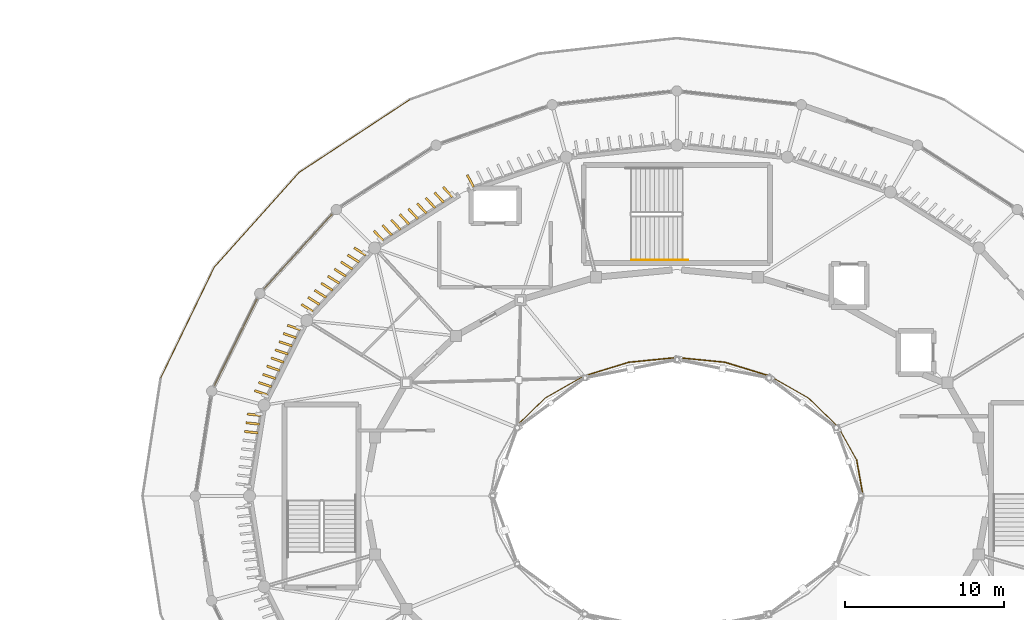
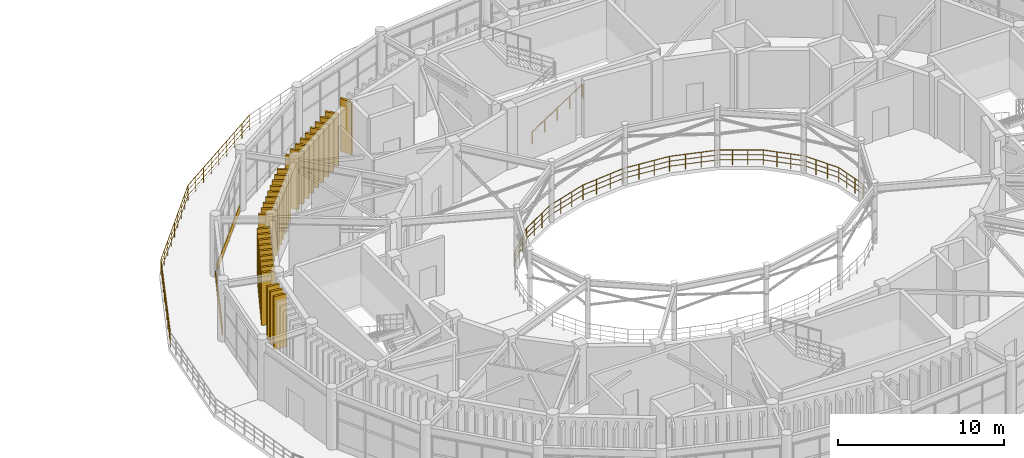
# One storey, part 41 of 45: 31 shading devices, 14 railings, 2 coverings.
"""IFC4 building model written with IfcOpenShell, lengths in metres."""

from ifc_helpers import new_model, si_unit, direction, frame, origin, origin_2d, place, context, subcontext, project, spatial, rectangle, circle, extrude, material, layer, layer_set, type_object, element, save


model = new_model("IFC4")

# Units and contexts
model_context = context("Model", 3, precision=1e-05, world=origin(), true_north=direction((0.0, 1.0)))
body_context = subcontext(model_context, "Body", "Model", "MODEL_VIEW")
ifc_project = project(units=[si_unit("LENGTHUNIT", "METRE"), si_unit("AREAUNIT", "SQUARE_METRE"), si_unit("VOLUMEUNIT", "CUBIC_METRE"), si_unit("PLANEANGLEUNIT", "RADIAN"), si_unit("MASSUNIT", "GRAM", prefix="KILO")], contexts=[model_context])

# Site, building, storey
site_placement = place(None, origin())
site = spatial("IfcSite", under=ifc_project, at=site_placement, CompositionType="ELEMENT")
building_placement = place(site_placement, origin())
building = spatial("IfcBuilding", under=site, at=building_placement, Name="Cinderbank Siding Concert Hall", CompositionType="ELEMENT")
storey_placement = place(building_placement, frame((0.0, 0.0, 19.199951171875)))
storey = spatial("IfcBuildingStorey", under=building, at=storey_placement, Name="L05", CompositionType="ELEMENT", Elevation=19.199951171875)

# Railings
ifc_material_1 = material(Name="Spotted gum glulam timber GL18 (42 MPa)", Category="wood")
railing_type_1 = type_object("IfcRailingType", Name="BAL-01 Auditorium Tier Balustrade 1120mm", PredefinedType="BALUSTRADE", material=ifc_material_1)
railing_1_placement = place(storey_placement, frame((133.679931640625, 44.0, 0.0)))
element("IfcRailing", 1, at=railing_1_placement, inside=storey, type_object=railing_type_1, Name="L05 Auditorium Circle Balustrade 01", PredefinedType="BALUSTRADE", context=body_context, shape_type="SweptSolid", body=[
    extrude(circle(Radius=0.02392578125, at=origin_2d()), frame((0.0, 0.0, 1.09619140625), z_axis=(-0.174420153546, 0.984671320816, 0.0), x_axis=(-0.984671320816, -0.174420153546, 0.0)), (0.0, 0.0, 1.0), 2.281494140625),
    extrude(circle(Radius=0.01611328125, at=origin_2d()), frame((0.0, 0.0, 0.36962890625), z_axis=(-0.174420153546, 0.984671320816, 0.0), x_axis=(-0.984671320816, -0.174420153546, 0.0)), (0.0, 0.0, 1.0), 2.281494140625),
    extrude(circle(Radius=0.01611328125, at=origin_2d()), frame((0.0, 0.0, 0.7392578125), z_axis=(-0.174420153546, 0.984671320816, 0.0), x_axis=(-0.984671320816, -0.174420153546, 0.0)), (0.0, 0.0, 1.0), 2.281494140625),
    extrude(circle(Radius=0.02099609375, at=origin_2d()), origin(), (0.0, 0.0, 1.0), 1.072021484375),
    extrude(circle(Radius=0.02099609375, at=origin_2d()), frame((-0.132568359375, 0.748779296875, 0.0)), (0.0, 0.0, 1.0), 1.072021484375),
    extrude(circle(Radius=0.02099609375, at=origin_2d()), frame((-0.265380859375, 1.497802734375, 0.0)), (0.0, 0.0, 1.0), 1.072021484375),
    extrude(circle(Radius=0.02099609375, at=origin_2d()), frame((-0.39794921875, 2.24658203125, 0.0)), (0.0, 0.0, 1.0), 1.072021484375),
])
railing_2_placement = place(storey_placement, frame((133.281982421875, 46.24658203125, 0.0)))
element("IfcRailing", 2, at=railing_2_placement, inside=storey, type_object=railing_type_1, Name="L05 Auditorium Circle Balustrade 02", PredefinedType="BALUSTRADE", context=body_context, shape_type="SweptSolid", body=[
    extrude(circle(Radius=0.02392578125, at=origin_2d()), frame((0.0, 0.0, 1.09619140625), z_axis=(-0.486818758281, 0.873503003192, 0.0), x_axis=(-0.873503003192, -0.486818758281, 0.0)), (0.0, 0.0, 1.0), 2.396728515625),
    extrude(circle(Radius=0.01611328125, at=origin_2d()), frame((0.0, 0.0, 0.36962890625), z_axis=(-0.486818758281, 0.873503003192, 0.0), x_axis=(-0.873503003192, -0.486818758281, 0.0)), (0.0, 0.0, 1.0), 2.396728515625),
    extrude(circle(Radius=0.01611328125, at=origin_2d()), frame((0.0, 0.0, 0.7392578125), z_axis=(-0.486818758281, 0.873503003192, 0.0), x_axis=(-0.873503003192, -0.486818758281, 0.0)), (0.0, 0.0, 1.0), 2.396728515625),
    extrude(circle(Radius=0.02099609375, at=origin_2d()), origin(), (0.0, 0.0, 1.0), 1.072021484375),
    extrude(circle(Radius=0.02099609375, at=origin_2d()), frame((-0.388916015625, 0.69775390625, 0.0)), (0.0, 0.0, 1.0), 1.072021484375),
    extrude(circle(Radius=0.02099609375, at=origin_2d()), frame((-0.77783203125, 1.395751953125, 0.0)), (0.0, 0.0, 1.0), 1.072021484375),
    extrude(circle(Radius=0.02099609375, at=origin_2d()), frame((-1.166748046875, 2.093505859375, 0.0)), (0.0, 0.0, 1.0), 1.072021484375),
])
railing_3_placement = place(storey_placement, frame((132.115234375, 48.340087890625, 0.0)))
element("IfcRailing", 3, at=railing_3_placement, inside=storey, type_object=railing_type_1, Name="L05 Auditorium Circle Balustrade 03", PredefinedType="BALUSTRADE", context=body_context, shape_type="SweptSolid", body=[
    extrude(circle(Radius=0.02392578125, at=origin_2d()), frame((0.0, 0.0, 1.09619140625), z_axis=(-0.71835383074, 0.695677923943, 0.0), x_axis=(-0.695677923943, -0.71835383074, 0.0)), (0.0, 0.0, 1.0), 2.583984375),
    extrude(circle(Radius=0.01611328125, at=origin_2d()), frame((0.0, 0.0, 0.36962890625), z_axis=(-0.71835383074, 0.695677923943, 0.0), x_axis=(-0.695677923943, -0.71835383074, 0.0)), (0.0, 0.0, 1.0), 2.583984375),
    extrude(circle(Radius=0.01611328125, at=origin_2d()), frame((0.0, 0.0, 0.7392578125), z_axis=(-0.71835383074, 0.695677923943, 0.0), x_axis=(-0.695677923943, -0.71835383074, 0.0)), (0.0, 0.0, 1.0), 2.583984375),
    extrude(circle(Radius=0.02099609375, at=origin_2d()), origin(), (0.0, 0.0, 1.0), 1.072021484375),
    extrude(circle(Radius=0.02099609375, at=origin_2d()), frame((-0.61865234375, 0.59912109375, 0.0)), (0.0, 0.0, 1.0), 1.072021484375),
    extrude(circle(Radius=0.02099609375, at=origin_2d()), frame((-1.237548828125, 1.198486328125, 0.0)), (0.0, 0.0, 1.0), 1.072021484375),
    extrude(circle(Radius=0.02099609375, at=origin_2d()), frame((-1.856201171875, 1.797607421875, 0.0)), (0.0, 0.0, 1.0), 1.072021484375),
])
railing_4_placement = place(storey_placement, frame((130.259033203125, 50.1376953125, 0.0)))
element("IfcRailing", 4, at=railing_4_placement, inside=storey, type_object=railing_type_1, Name="L05 Auditorium Circle Balustrade 04", PredefinedType="BALUSTRADE", context=body_context, shape_type="SweptSolid", body=[
    extrude(circle(Radius=0.02392578125, at=origin_2d()), frame((0.0, 0.0, 1.09619140625), z_axis=(-0.868685219128, 0.495364502228, 0.0), x_axis=(-0.495364502228, -0.868685219128, 0.0)), (0.0, 0.0, 1.0), 2.78466796875),
    extrude(circle(Radius=0.01611328125, at=origin_2d()), frame((0.0, 0.0, 0.36962890625), z_axis=(-0.868685219128, 0.495364502228, 0.0), x_axis=(-0.495364502228, -0.868685219128, 0.0)), (0.0, 0.0, 1.0), 2.78466796875),
    extrude(circle(Radius=0.01611328125, at=origin_2d()), frame((0.0, 0.0, 0.7392578125), z_axis=(-0.868685219128, 0.495364502228, 0.0), x_axis=(-0.495364502228, -0.868685219128, 0.0)), (0.0, 0.0, 1.0), 2.78466796875),
    extrude(circle(Radius=0.02099609375, at=origin_2d()), origin(), (0.0, 0.0, 1.0), 1.072021484375),
    extrude(circle(Radius=0.02099609375, at=origin_2d()), frame((-0.806396484375, 0.459716796875, 0.0)), (0.0, 0.0, 1.0), 1.072021484375),
    extrude(circle(Radius=0.02099609375, at=origin_2d()), frame((-1.612548828125, 0.919677734375, 0.0)), (0.0, 0.0, 1.0), 1.072021484375),
    extrude(circle(Radius=0.02099609375, at=origin_2d()), frame((-2.4189453125, 1.37939453125, 0.0)), (0.0, 0.0, 1.0), 1.072021484375),
])
railing_5_placement = place(storey_placement, frame((127.840087890625, 51.51708984375, 0.0)))
element("IfcRailing", 5, at=railing_5_placement, inside=storey, type_object=railing_type_1, Name="L05 Auditorium Circle Balustrade 05", PredefinedType="BALUSTRADE", context=body_context, shape_type="SweptSolid", body=[
    extrude(circle(Radius=0.02392578125, at=origin_2d()), frame((0.0, 0.0, 1.09619140625), z_axis=(-0.955743184461, 0.294202252466, 0.0), x_axis=(-0.294202252466, -0.955743184461, 0.0)), (0.0, 0.0, 1.0), 2.947509765625),
    extrude(circle(Radius=0.01611328125, at=origin_2d()), frame((0.0, 0.0, 0.36962890625), z_axis=(-0.955743184461, 0.294202252466, 0.0), x_axis=(-0.294202252466, -0.955743184461, 0.0)), (0.0, 0.0, 1.0), 2.947509765625),
    extrude(circle(Radius=0.01611328125, at=origin_2d()), frame((0.0, 0.0, 0.7392578125), z_axis=(-0.955743184461, 0.294202252466, 0.0), x_axis=(-0.294202252466, -0.955743184461, 0.0)), (0.0, 0.0, 1.0), 2.947509765625),
    extrude(circle(Radius=0.02099609375, at=origin_2d()), origin(), (0.0, 0.0, 1.0), 1.072021484375),
    extrude(circle(Radius=0.02099609375, at=origin_2d()), frame((-0.93896484375, 0.2890625, 0.0)), (0.0, 0.0, 1.0), 1.072021484375),
    extrude(circle(Radius=0.02099609375, at=origin_2d()), frame((-1.878173828125, 0.578125, 0.0)), (0.0, 0.0, 1.0), 1.072021484375),
    extrude(circle(Radius=0.02099609375, at=origin_2d()), frame((-2.817138671875, 0.8671875, 0.0)), (0.0, 0.0, 1.0), 1.072021484375),
])
railing_6_placement = place(storey_placement, frame((125.02294921875, 52.38427734375, 0.0)))
element("IfcRailing", 6, at=railing_6_placement, inside=storey, type_object=railing_type_1, Name="L05 Auditorium Circle Balustrade 06", PredefinedType="BALUSTRADE", context=body_context, shape_type="SweptSolid", body=[
    extrude(circle(Radius=0.02392578125, at=origin_2d()), frame((0.0, 0.0, 1.09619140625), z_axis=(-0.995251301544, 0.097338824598, 0.0), x_axis=(-0.097338824598, -0.995251301544, 0.0)), (0.0, 0.0, 1.0), 3.037353515625),
    extrude(circle(Radius=0.01611328125, at=origin_2d()), frame((0.0, 0.0, 0.36962890625), z_axis=(-0.995251301544, 0.097338824598, 0.0), x_axis=(-0.097338824598, -0.995251301544, 0.0)), (0.0, 0.0, 1.0), 3.037353515625),
    extrude(circle(Radius=0.01611328125, at=origin_2d()), frame((0.0, 0.0, 0.7392578125), z_axis=(-0.995251301544, 0.097338824598, 0.0), x_axis=(-0.097338824598, -0.995251301544, 0.0)), (0.0, 0.0, 1.0), 3.037353515625),
    extrude(circle(Radius=0.02099609375, at=origin_2d()), origin(), (0.0, 0.0, 1.0), 1.072021484375),
    extrude(circle(Radius=0.02099609375, at=origin_2d()), frame((-1.007568359375, 0.0986328125, 0.0)), (0.0, 0.0, 1.0), 1.072021484375),
    extrude(circle(Radius=0.02099609375, at=origin_2d()), frame((-2.015380859375, 0.197021484375, 0.0)), (0.0, 0.0, 1.0), 1.072021484375),
    extrude(circle(Radius=0.02099609375, at=origin_2d()), frame((-3.02294921875, 0.295654296875, 0.0)), (0.0, 0.0, 1.0), 1.072021484375),
])
railing_7_placement = place(storey_placement, frame((122.0, 52.679931640625, 0.0)))
element("IfcRailing", 7, at=railing_7_placement, inside=storey, type_object=railing_type_1, Name="L05 Auditorium Circle Balustrade 07", PredefinedType="BALUSTRADE", context=body_context, shape_type="SweptSolid", body=[
    extrude(circle(Radius=0.02392578125, at=origin_2d()), frame((0.0, 0.0, 1.09619140625), z_axis=(-0.995251301544, -0.097338824598, 0.0), x_axis=(0.097338824598, -0.995251301544, 0.0)), (0.0, 0.0, 1.0), 3.037353515625),
    extrude(circle(Radius=0.01611328125, at=origin_2d()), frame((0.0, 0.0, 0.36962890625), z_axis=(-0.995251301544, -0.097338824598, 0.0), x_axis=(0.097338824598, -0.995251301544, 0.0)), (0.0, 0.0, 1.0), 3.037353515625),
    extrude(circle(Radius=0.01611328125, at=origin_2d()), frame((0.0, 0.0, 0.7392578125), z_axis=(-0.995251301544, -0.097338824598, 0.0), x_axis=(0.097338824598, -0.995251301544, 0.0)), (0.0, 0.0, 1.0), 3.037353515625),
    extrude(circle(Radius=0.02099609375, at=origin_2d()), origin(), (0.0, 0.0, 1.0), 1.072021484375),
    extrude(circle(Radius=0.02099609375, at=origin_2d()), frame((-1.007568359375, -0.0986328125, 0.0)), (0.0, 0.0, 1.0), 1.072021484375),
    extrude(circle(Radius=0.02099609375, at=origin_2d()), frame((-2.015380859375, -0.197021484375, 0.0)), (0.0, 0.0, 1.0), 1.072021484375),
    extrude(circle(Radius=0.02099609375, at=origin_2d()), frame((-3.02294921875, -0.295654296875, 0.0)), (0.0, 0.0, 1.0), 1.072021484375),
])
railing_8_placement = place(storey_placement, frame((118.97705078125, 52.38427734375, 0.0)))
element("IfcRailing", 8, at=railing_8_placement, inside=storey, type_object=railing_type_1, Name="L05 Auditorium Circle Balustrade 08", PredefinedType="BALUSTRADE", context=body_context, shape_type="SweptSolid", body=[
    extrude(circle(Radius=0.02392578125, at=origin_2d()), frame((0.0, 0.0, 1.09619140625), z_axis=(-0.955743184461, -0.294202252466, 0.0), x_axis=(0.294202252466, -0.955743184461, 0.0)), (0.0, 0.0, 1.0), 2.947509765625),
    extrude(circle(Radius=0.01611328125, at=origin_2d()), frame((0.0, 0.0, 0.36962890625), z_axis=(-0.955743184461, -0.294202252466, 0.0), x_axis=(0.294202252466, -0.955743184461, 0.0)), (0.0, 0.0, 1.0), 2.947509765625),
    extrude(circle(Radius=0.01611328125, at=origin_2d()), frame((0.0, 0.0, 0.7392578125), z_axis=(-0.955743184461, -0.294202252466, 0.0), x_axis=(0.294202252466, -0.955743184461, 0.0)), (0.0, 0.0, 1.0), 2.947509765625),
    extrude(circle(Radius=0.02099609375, at=origin_2d()), origin(), (0.0, 0.0, 1.0), 1.072021484375),
    extrude(circle(Radius=0.02099609375, at=origin_2d()), frame((-0.93896484375, -0.2890625, 0.0)), (0.0, 0.0, 1.0), 1.072021484375),
    extrude(circle(Radius=0.02099609375, at=origin_2d()), frame((-1.878173828125, -0.578125, 0.0)), (0.0, 0.0, 1.0), 1.072021484375),
    extrude(circle(Radius=0.02099609375, at=origin_2d()), frame((-2.817138671875, -0.8671875, 0.0)), (0.0, 0.0, 1.0), 1.072021484375),
])
railing_9_placement = place(storey_placement, frame((116.159912109375, 51.51708984375, 0.0)))
element("IfcRailing", 9, at=railing_9_placement, inside=storey, type_object=railing_type_1, Name="L05 Auditorium Circle Balustrade 09", PredefinedType="BALUSTRADE", context=body_context, shape_type="SweptSolid", body=[
    extrude(circle(Radius=0.02392578125, at=origin_2d()), frame((0.0, 0.0, 1.09619140625), z_axis=(-0.868685219128, -0.495364502228, 0.0), x_axis=(0.495364502228, -0.868685219128, 0.0)), (0.0, 0.0, 1.0), 2.78466796875),
    extrude(circle(Radius=0.01611328125, at=origin_2d()), frame((0.0, 0.0, 0.36962890625), z_axis=(-0.868685219128, -0.495364502228, 0.0), x_axis=(0.495364502228, -0.868685219128, 0.0)), (0.0, 0.0, 1.0), 2.78466796875),
    extrude(circle(Radius=0.01611328125, at=origin_2d()), frame((0.0, 0.0, 0.7392578125), z_axis=(-0.868685219128, -0.495364502228, 0.0), x_axis=(0.495364502228, -0.868685219128, 0.0)), (0.0, 0.0, 1.0), 2.78466796875),
    extrude(circle(Radius=0.02099609375, at=origin_2d()), origin(), (0.0, 0.0, 1.0), 1.072021484375),
    extrude(circle(Radius=0.02099609375, at=origin_2d()), frame((-0.806396484375, -0.459716796875, 0.0)), (0.0, 0.0, 1.0), 1.072021484375),
    extrude(circle(Radius=0.02099609375, at=origin_2d()), frame((-1.612548828125, -0.919677734375, 0.0)), (0.0, 0.0, 1.0), 1.072021484375),
    extrude(circle(Radius=0.02099609375, at=origin_2d()), frame((-2.4189453125, -1.37939453125, 0.0)), (0.0, 0.0, 1.0), 1.072021484375),
])
railing_10_placement = place(storey_placement, frame((113.740966796875, 50.1376953125, 0.0)))
element("IfcRailing", 10, at=railing_10_placement, inside=storey, type_object=railing_type_1, Name="L05 Auditorium Circle Balustrade 10", PredefinedType="BALUSTRADE", context=body_context, shape_type="SweptSolid", body=[
    extrude(circle(Radius=0.02392578125, at=origin_2d()), frame((0.0, 0.0, 1.09619140625), z_axis=(-0.71835383074, -0.695677923943, 0.0), x_axis=(0.695677923943, -0.71835383074, 0.0)), (0.0, 0.0, 1.0), 2.583984375),
    extrude(circle(Radius=0.01611328125, at=origin_2d()), frame((0.0, 0.0, 0.36962890625), z_axis=(-0.71835383074, -0.695677923943, 0.0), x_axis=(0.695677923943, -0.71835383074, 0.0)), (0.0, 0.0, 1.0), 2.583984375),
    extrude(circle(Radius=0.01611328125, at=origin_2d()), frame((0.0, 0.0, 0.7392578125), z_axis=(-0.71835383074, -0.695677923943, 0.0), x_axis=(0.695677923943, -0.71835383074, 0.0)), (0.0, 0.0, 1.0), 2.583984375),
    extrude(circle(Radius=0.02099609375, at=origin_2d()), origin(), (0.0, 0.0, 1.0), 1.072021484375),
    extrude(circle(Radius=0.02099609375, at=origin_2d()), frame((-0.61865234375, -0.59912109375, 0.0)), (0.0, 0.0, 1.0), 1.072021484375),
    extrude(circle(Radius=0.02099609375, at=origin_2d()), frame((-1.237548828125, -1.198486328125, 0.0)), (0.0, 0.0, 1.0), 1.072021484375),
    extrude(circle(Radius=0.02099609375, at=origin_2d()), frame((-1.856201171875, -1.797607421875, 0.0)), (0.0, 0.0, 1.0), 1.072021484375),
])

# Coverings
ifc_layer = layer(ifc_material_1, 0.06494140625)
ifc_layer_set = layer_set([ifc_layer], Name="Spotted gum glulam timber GL18 (42 MPa)")
covering_type = type_object("IfcCoveringType", Name="CL-01 Spotted Gum Spandrel Band 520mm", PredefinedType="CLADDING", material=ifc_layer_set)
covering_1_placement = place(storey_placement, frame((98.24560546875, 59.330322265625, 0.0), z_axis=(0.0, 0.0, 1.0), x_axis=(-0.673988610863, -0.738741735945, 0.0)))
element("IfcCovering", 11, at=covering_1_placement, inside=storey, type_object=covering_type, Name="CW-L05-080 Spotted Gum Spandrel Band", PredefinedType="CLADDING", context=body_context, shape_type="SweptSolid", body=[
    extrude(rectangle(XDim=6.3408203125, YDim=0.06494140625, at=origin_2d()), origin(), (0.0, 0.0, 1.0), 0.52001953125),
])
covering_2_placement = place(storey_placement, frame((94.33740234375, 53.636962890625, 0.0), z_axis=(0.0, 0.0, 1.0), x_axis=(-0.441816401468, -0.897105494016, 0.0)))
element("IfcCovering", 12, at=covering_2_placement, inside=storey, type_object=covering_type, Name="CW-L05-081 Spotted Gum Spandrel Band", PredefinedType="CLADDING", context=body_context, shape_type="SweptSolid", body=[
    extrude(rectangle(XDim=6.048583984375, YDim=0.06494140625, at=origin_2d()), origin(), (0.0, 0.0, 1.0), 0.52001953125),
])

# Railings
ifc_material_2 = material(Name="Structural steel AS/NZS 3679.1 Grade 350 (340 MPa)", Category="steel")
railing_type_2 = type_object("IfcRailingType", Name="GD-01 Terrace & Perimeter Guardrail 1120mm", PredefinedType="GUARDRAIL", material=ifc_material_2)
railing_11_placement = place(storey_placement, frame((89.6416015625, 51.424072265625, 0.0)))
element("IfcRailing", 13, at=railing_11_placement, inside=storey, type_object=railing_type_2, Name="L05 Perimeter Guardrail #96", PredefinedType="GUARDRAIL", context=body_context, shape_type="SweptSolid", body=[
    extrude(circle(Radius=0.02392578125, at=origin_2d()), frame((0.0, 0.0, 1.09619140625), z_axis=(0.435088399424, 0.900387741302, 0.0), x_axis=(-0.900387741302, 0.435088399424, 0.0)), (0.0, 0.0, 1.0), 7.685302734375),
    extrude(circle(Radius=0.01611328125, at=origin_2d()), frame((0.0, 0.0, 0.36962890625), z_axis=(0.435088399424, 0.900387741302, 0.0), x_axis=(-0.900387741302, 0.435088399424, 0.0)), (0.0, 0.0, 1.0), 7.685302734375),
    extrude(circle(Radius=0.01611328125, at=origin_2d()), frame((0.0, 0.0, 0.7392578125), z_axis=(0.435088399424, 0.900387741302, 0.0), x_axis=(-0.900387741302, 0.435088399424, 0.0)), (0.0, 0.0, 1.0), 7.685302734375),
    extrude(circle(Radius=0.02099609375, at=origin_2d()), origin(), (0.0, 0.0, 1.0), 1.072021484375),
    extrude(circle(Radius=0.02099609375, at=origin_2d()), frame((0.41796875, 0.864990234375, 0.0)), (0.0, 0.0, 1.0), 1.072021484375),
    extrude(circle(Radius=0.02099609375, at=origin_2d()), frame((0.8359375, 1.72998046875, 0.0)), (0.0, 0.0, 1.0), 1.072021484375),
    extrude(circle(Radius=0.02099609375, at=origin_2d()), frame((1.25390625, 2.594970703125, 0.0)), (0.0, 0.0, 1.0), 1.072021484375),
    extrude(circle(Radius=0.02099609375, at=origin_2d()), frame((1.671875, 3.4599609375, 0.0)), (0.0, 0.0, 1.0), 1.072021484375),
    extrude(circle(Radius=0.02099609375, at=origin_2d()), frame((2.08984375, 4.32470703125, 0.0)), (0.0, 0.0, 1.0), 1.072021484375),
    extrude(circle(Radius=0.02099609375, at=origin_2d()), frame((2.5078125, 5.189697265625, 0.0)), (0.0, 0.0, 1.0), 1.072021484375),
    extrude(circle(Radius=0.02099609375, at=origin_2d()), frame((2.92578125, 6.0546875, 0.0)), (0.0, 0.0, 1.0), 1.072021484375),
    extrude(circle(Radius=0.02099609375, at=origin_2d()), frame((3.34375, 6.919677734375, 0.0)), (0.0, 0.0, 1.0), 1.072021484375),
])
railing_12_placement = place(storey_placement, frame((92.9853515625, 58.34375, 0.0)))
element("IfcRailing", 14, at=railing_12_placement, inside=storey, type_object=railing_type_2, Name="L05 Perimeter Guardrail #97", PredefinedType="GUARDRAIL", context=body_context, shape_type="SweptSolid", body=[
    extrude(circle(Radius=0.02392578125, at=origin_2d()), frame((0.0, 0.0, 1.09619140625), z_axis=(0.666982673657, 0.745073226631, 0.0), x_axis=(-0.745073226631, 0.666982673657, 0.0)), (0.0, 0.0, 1.0), 7.978515625),
    extrude(circle(Radius=0.01611328125, at=origin_2d()), frame((0.0, 0.0, 0.36962890625), z_axis=(0.666982673657, 0.745073226631, 0.0), x_axis=(-0.745073226631, 0.666982673657, 0.0)), (0.0, 0.0, 1.0), 7.978515625),
    extrude(circle(Radius=0.01611328125, at=origin_2d()), frame((0.0, 0.0, 0.7392578125), z_axis=(0.666982673657, 0.745073226631, 0.0), x_axis=(-0.745073226631, 0.666982673657, 0.0)), (0.0, 0.0, 1.0), 7.978515625),
    extrude(circle(Radius=0.02099609375, at=origin_2d()), origin(), (0.0, 0.0, 1.0), 1.072021484375),
    extrude(circle(Radius=0.02099609375, at=origin_2d()), frame((0.665283203125, 0.7431640625, 0.0)), (0.0, 0.0, 1.0), 1.072021484375),
    extrude(circle(Radius=0.02099609375, at=origin_2d()), frame((1.330322265625, 1.486083984375, 0.0)), (0.0, 0.0, 1.0), 1.072021484375),
    extrude(circle(Radius=0.02099609375, at=origin_2d()), frame((1.99560546875, 2.229248046875, 0.0)), (0.0, 0.0, 1.0), 1.072021484375),
    extrude(circle(Radius=0.02099609375, at=origin_2d()), frame((2.66064453125, 2.97216796875, 0.0)), (0.0, 0.0, 1.0), 1.072021484375),
    extrude(circle(Radius=0.02099609375, at=origin_2d()), frame((3.325927734375, 3.71533203125, 0.0)), (0.0, 0.0, 1.0), 1.072021484375),
    extrude(circle(Radius=0.02099609375, at=origin_2d()), frame((3.9912109375, 4.45849609375, 0.0)), (0.0, 0.0, 1.0), 1.072021484375),
    extrude(circle(Radius=0.02099609375, at=origin_2d()), frame((4.65625, 5.201416015625, 0.0)), (0.0, 0.0, 1.0), 1.072021484375),
    extrude(circle(Radius=0.02099609375, at=origin_2d()), frame((5.321533203125, 5.944580078125, 0.0)), (0.0, 0.0, 1.0), 1.072021484375),
])
railing_13_placement = place(storey_placement, frame((98.306884765625, 64.288330078125, 0.0)))
element("IfcRailing", 15, at=railing_13_placement, inside=storey, type_object=railing_type_2, Name="L05 Perimeter Guardrail #98", PredefinedType="GUARDRAIL", context=body_context, shape_type="SweptSolid", body=[
    extrude(circle(Radius=0.02392578125, at=origin_2d()), frame((0.0, 0.0, 1.09619140625), z_axis=(0.835498780088, 0.549492300649, 0.0), x_axis=(-0.549492300649, 0.835498780088, 0.0)), (0.0, 0.0, 1.0), 8.303955078125),
    extrude(circle(Radius=0.01611328125, at=origin_2d()), frame((0.0, 0.0, 0.36962890625), z_axis=(0.835498780088, 0.549492300649, 0.0), x_axis=(-0.549492300649, 0.835498780088, 0.0)), (0.0, 0.0, 1.0), 8.303955078125),
    extrude(circle(Radius=0.01611328125, at=origin_2d()), frame((0.0, 0.0, 0.7392578125), z_axis=(0.835498780088, 0.549492300649, 0.0), x_axis=(-0.549492300649, 0.835498780088, 0.0)), (0.0, 0.0, 1.0), 8.303955078125),
    extrude(circle(Radius=0.02099609375, at=origin_2d()), origin(), (0.0, 0.0, 1.0), 1.072021484375),
    extrude(circle(Radius=0.02099609375, at=origin_2d()), frame((0.8671875, 0.5703125, 0.0)), (0.0, 0.0, 1.0), 1.072021484375),
    extrude(circle(Radius=0.02099609375, at=origin_2d()), frame((1.734375, 1.140625, 0.0)), (0.0, 0.0, 1.0), 1.072021484375),
    extrude(circle(Radius=0.02099609375, at=origin_2d()), frame((2.601806640625, 1.711181640625, 0.0)), (0.0, 0.0, 1.0), 1.072021484375),
    extrude(circle(Radius=0.02099609375, at=origin_2d()), frame((3.468994140625, 2.281494140625, 0.0)), (0.0, 0.0, 1.0), 1.072021484375),
    extrude(circle(Radius=0.02099609375, at=origin_2d()), frame((4.336181640625, 2.851806640625, 0.0)), (0.0, 0.0, 1.0), 1.072021484375),
    extrude(circle(Radius=0.02099609375, at=origin_2d()), frame((5.20361328125, 3.42236328125, 0.0)), (0.0, 0.0, 1.0), 1.072021484375),
    extrude(circle(Radius=0.02099609375, at=origin_2d()), frame((6.07080078125, 3.99267578125, 0.0)), (0.0, 0.0, 1.0), 1.072021484375),
    extrude(circle(Radius=0.02099609375, at=origin_2d()), frame((6.93798828125, 4.56298828125, 0.0)), (0.0, 0.0, 1.0), 1.072021484375),
])

# Shading devices
ifc_material_3 = material(Name="Glazed architectural terracotta acoustic louvre unit", Category="masonry")
shading_device_type = type_object("IfcShadingDeviceType", Name="LV-01 Terracotta Louvre Blade 850x3850", PredefinedType="JALOUSIE", material=ifc_material_3)
for number, where, z_axis, x_axis, name in (
    (16, (109.048583984375, 63.759521484375, 0.0751953125), (0.0, 0.0, 1.0), (-0.450487284518, 0.89278284397, 0.0), "L05 Terracotta Louvre Blade #63"),
    (17, (107.636474609375, 63.060791015625, 0.0751953125), (0.0, 0.0, 1.0), (-0.682869257989, 0.730540605643, 0.0), "L05 Terracotta Louvre Blade #64"),
    (18, (107.093017578125, 62.718505859375, 0.0751953125), (0.0, 0.0, 1.0), (-0.682869257989, 0.730540605643, 0.0), "L05 Terracotta Louvre Blade #65"),
    (19, (106.549560546875, 62.376220703125, 0.0751953125), (0.0, 0.0, 1.0), (-0.682869257989, 0.730540605643, 0.0), "L05 Terracotta Louvre Blade #66"),
    (20, (106.006103515625, 62.033935546875, 0.0751953125), (0.0, 0.0, 1.0), (-0.682869257989, 0.730540605643, 0.0), "L05 Terracotta Louvre Blade #67"),
    (21, (105.462890625, 61.691650390625, 0.0751953125), (0.0, 0.0, 1.0), (-0.682869257989, 0.730540605643, 0.0), "L05 Terracotta Louvre Blade #68"),
    (22, (104.91943359375, 61.349365234375, 0.0751953125), (0.0, 0.0, 1.0), (-0.682869257989, 0.730540605643, 0.0), "L05 Terracotta Louvre Blade #69"),
    (23, (104.3759765625, 61.007080078125, 0.0751953125), (0.0, 0.0, 1.0), (-0.682869257989, 0.730540605643, 0.0), "L05 Terracotta Louvre Blade #70"),
    (24, (103.832763671875, 60.664794921875, 0.0751953125), (0.0, 0.0, 1.0), (-0.682869257989, 0.730540605643, 0.0), "L05 Terracotta Louvre Blade #71"),
    (25, (103.289306640625, 60.322509765625, 0.0751953125), (0.0, 0.0, 1.0), (-0.682869257989, 0.730540605643, 0.0), "L05 Terracotta Louvre Blade #72"),
    (26, (102.127685546875, 59.33251953125, 0.0751953125), (0.0, 0.0, 1.0), (-0.846132246596, 0.532973002384, 0.0), "L05 Terracotta Louvre Blade #73"),
    (27, (101.713623046875, 58.889404296875, 0.0751953125), (0.0, 0.0, 1.0), (-0.846132246596, 0.532973002384, 0.0), "L05 Terracotta Louvre Blade #74"),
    (28, (101.299560546875, 58.446533203125, 0.0751953125), (0.0, 0.0, 1.0), (-0.846132246596, 0.532973002384, 0.0), "L05 Terracotta Louvre Blade #75"),
    (29, (100.885498046875, 58.003662109375, 0.0751953125), (0.0, 0.0, 1.0), (-0.846132246596, 0.532973002384, 0.0), "L05 Terracotta Louvre Blade #76"),
    (30, (100.471435546875, 57.560546875, 0.0751953125), (0.0, 0.0, 1.0), (-0.846132246596, 0.532973002384, 0.0), "L05 Terracotta Louvre Blade #77"),
    (31, (100.0576171875, 57.11767578125, 0.0751953125), (0.0, 0.0, 1.0), (-0.846132246596, 0.532973002384, 0.0), "L05 Terracotta Louvre Blade #78"),
    (32, (99.6435546875, 56.6748046875, 0.0751953125), (0.0, 0.0, 1.0), (-0.846132246596, 0.532973002384, 0.0), "L05 Terracotta Louvre Blade #79"),
    (33, (99.2294921875, 56.231689453125, 0.0751953125), (0.0, 0.0, 1.0), (-0.846132246596, 0.532973002384, 0.0), "L05 Terracotta Louvre Blade #80"),
    (34, (98.8154296875, 55.788818359375, 0.0751953125), (0.0, 0.0, 1.0), (-0.846132246596, 0.532973002384, 0.0), "L05 Terracotta Louvre Blade #81"),
    (35, (97.98388671875, 54.56640625, 0.0751953125), (0.0, 0.0, 1.0), (-0.946765351164, 0.321924478466, 0.0), "L05 Terracotta Louvre Blade #82"),
    (36, (97.725341796875, 54.05419921875, 0.0751953125), (0.0, 0.0, 1.0), (-0.946765351164, 0.321924478466, 0.0), "L05 Terracotta Louvre Blade #83"),
    (37, (97.466796875, 53.5419921875, 0.0751953125), (0.0, 0.0, 1.0), (-0.946765351164, 0.321924478466, 0.0), "L05 Terracotta Louvre Blade #84"),
    (38, (97.20849609375, 53.02978515625, 0.0751953125), (0.0, 0.0, 1.0), (-0.946765351164, 0.321924478466, 0.0), "L05 Terracotta Louvre Blade #85"),
    (39, (96.9501953125, 52.517578125, 0.0751953125), (0.0, 0.0, 1.0), (-0.946765351164, 0.321924478466, 0.0), "L05 Terracotta Louvre Blade #86"),
    (40, (96.691650390625, 52.00537109375, 0.0751953125), (0.0, 0.0, 1.0), (-0.946765351164, 0.321924478466, 0.0), "L05 Terracotta Louvre Blade #87"),
    (41, (96.43310546875, 51.493408203125, 0.0751953125), (0.0, 0.0, 1.0), (-0.946765351164, 0.321924478466, 0.0), "L05 Terracotta Louvre Blade #88"),
    (42, (96.1748046875, 50.981201171875, 0.0751953125), (0.0, 0.0, 1.0), (-0.946765351164, 0.321924478466, 0.0), "L05 Terracotta Louvre Blade #89"),
    (43, (95.916259765625, 50.468994140625, 0.0751953125), (0.0, 0.0, 1.0), (-0.946765351164, 0.321924478466, 0.0), "L05 Terracotta Louvre Blade #90"),
    (44, (95.480712890625, 49.09228515625, 0.0751953125), (0.0, 0.0, 1.0), (-0.994210818271, 0.107446958234, 0.0), "L05 Terracotta Louvre Blade #91"),
    (45, (95.392822265625, 48.545166015625, 0.0751953125), (0.0, 0.0, 1.0), (-0.994210818271, 0.107446958234, 0.0), "L05 Terracotta Louvre Blade #92"),
    (46, (95.30517578125, 47.998046875, 0.0751953125), (0.0, 0.0, 1.0), (-0.994210818271, 0.107446958234, 0.0), "L05 Terracotta Louvre Blade #93"),
):
    element("IfcShadingDevice", number, at=place(storey_placement, frame(where, z_axis=z_axis, x_axis=x_axis)), inside=storey, type_object=shading_device_type, Name=name, PredefinedType="JALOUSIE", context=body_context, shape_type="SweptSolid", body=[
        extrude(rectangle(XDim=0.85009765625, YDim=0.139892578125, at=origin_2d()), origin(), (0.0, 0.0, 1.0), 3.889892578125),
    ])

# Railing
railing_type_3 = type_object("IfcRailingType", Name="STH-01 Stair Pitch Handrail 920mm", PredefinedType="HANDRAIL", material=ifc_material_2)
railing_14_placement = place(storey_placement, frame((119.14990234375, 58.800048828125, 0.1875)))
element("IfcRailing", 47, at=railing_14_placement, inside=storey, type_object=railing_type_3, Name="L05 ST-01 stair handrail 1", PredefinedType="HANDRAIL", context=body_context, shape_type="SweptSolid", body=[
    extrude(circle(Radius=0.02392578125, at=origin_2d()), frame((0.0, 0.0, 0.89599609375), z_axis=(0.839762940478, 0.0, 0.542953224319), x_axis=(0.0, 1.0, 0.0)), (0.0, 0.0, 1.0), 4.14404296875),
    extrude(circle(Radius=0.02392578125, at=origin_2d()), frame((3.47998046875, 0.0, 3.14599609375), z_axis=(1.0, 0.0, 0.0), x_axis=(0.0, 1.0, 0.0)), (0.0, 0.0, 1.0), 0.06005859375),
    extrude(circle(Radius=0.02099609375, at=origin_2d()), origin(), (0.0, 0.0, 1.0), 0.871826171875),
    extrude(circle(Radius=0.02099609375, at=origin_2d()), frame((0.8701171875, 0.0, 0.5625)), (0.0, 0.0, 1.0), 0.871826171875),
    extrude(circle(Radius=0.02099609375, at=origin_2d()), frame((1.739990234375, 0.0, 1.125)), (0.0, 0.0, 1.0), 0.871826171875),
    extrude(circle(Radius=0.02099609375, at=origin_2d()), frame((2.60986328125, 0.0, 1.6875)), (0.0, 0.0, 1.0), 0.871826171875),
    extrude(circle(Radius=0.02099609375, at=origin_2d()), frame((3.47998046875, 0.0, 2.25)), (0.0, 0.0, 1.0), 0.871826171875),
    extrude(circle(Radius=0.02099609375, at=origin_2d()), frame((3.5400390625, 0.0, 2.0625)), (0.0, 0.0, 1.0), 1.059326171875),
])

save(model, "model.ifc")
